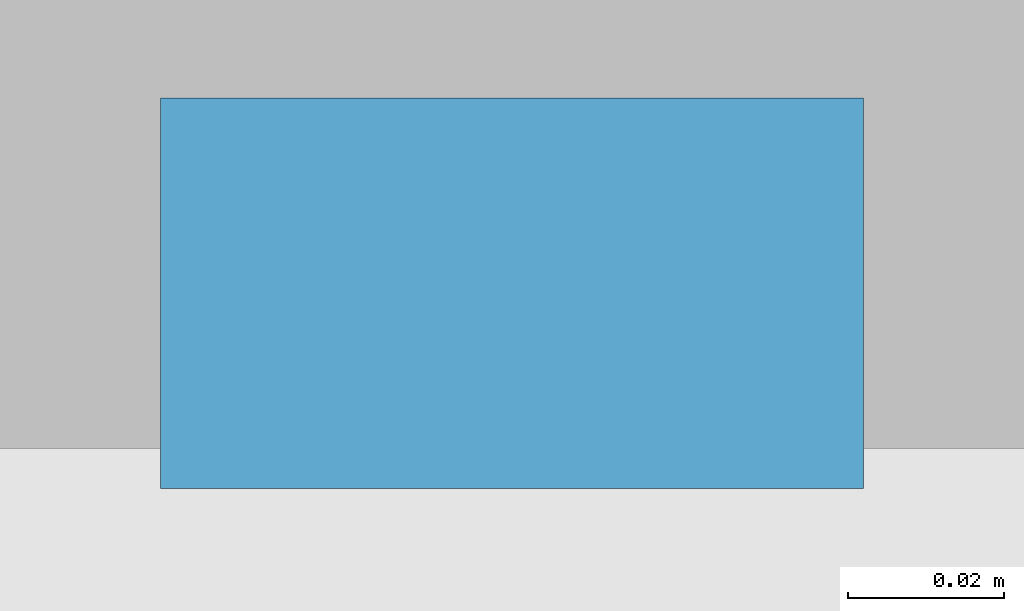
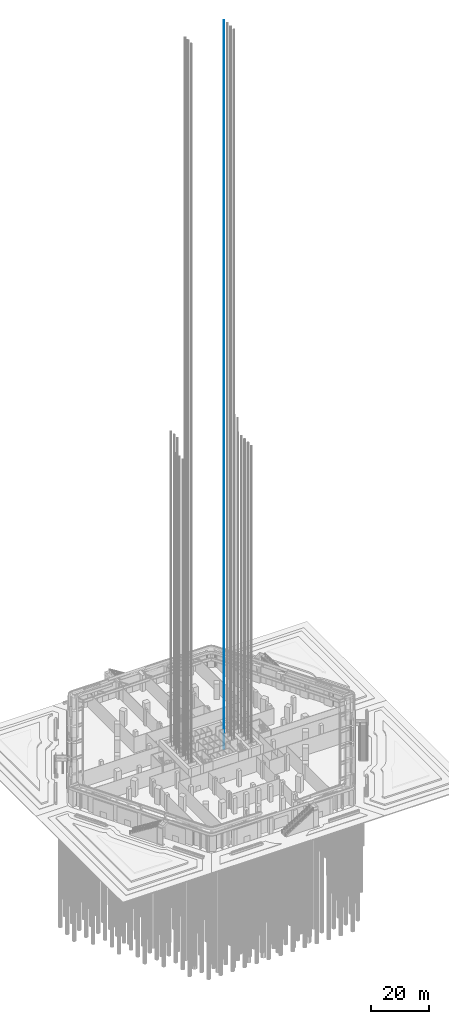
# One storey, part 57 of 68: 1 discrete accessory.
"""IFC4 building model written with IfcOpenShell, lengths in metres."""

from ifc_helpers import new_model, si_unit, direction, frame, origin, origin_2d, place, context, subcontext, project, spatial, rectangle, extrude, element, save


model = new_model("IFC4")

# Units and contexts
model_context = context("Model", 3, precision=1e-05, world=origin(), true_north=direction((0.0, 1.0)))
body_context = subcontext(model_context, "Body", "Model", "MODEL_VIEW")
ifc_project = project(units=[si_unit("LENGTHUNIT", "METRE"), si_unit("AREAUNIT", "SQUARE_METRE"), si_unit("VOLUMEUNIT", "CUBIC_METRE"), si_unit("PLANEANGLEUNIT", "RADIAN"), si_unit("MASSUNIT", "GRAM", prefix="KILO")], contexts=[model_context])

# Site, building, storey
site_placement = place(None, origin())
site = spatial("IfcSite", under=ifc_project, at=site_placement, CompositionType="ELEMENT")
building_placement = place(site_placement, origin())
building = spatial("IfcBuilding", under=site, at=building_placement, Name="Kolab Exchange Tower", CompositionType="ELEMENT")
storey_placement = place(building_placement, origin())
storey = spatial("IfcBuildingStorey", under=building, at=storey_placement, Name="L00", CompositionType="ELEMENT", Elevation=0.0)

# Discrete accessory
discrete_accessory_placement = place(storey_placement, frame((7.800048828125, 4.669921875, -1.599853515625), z_axis=(0.0, 0.0, 1.0), x_axis=(1.0, 0.0, 0.0)))
element("IfcDiscreteAccessory", 1, at=discrete_accessory_placement, inside=storey, Name="Guide rail SV3-2", ObjectType="GUIDE RAIL", PredefinedType="USERDEFINED", context=body_context, shape_type="SweptSolid", body=[
    extrude(rectangle(XDim=0.090087890625, YDim=0.050048828125, at=origin_2d()), origin(), (0.0, 0.0, 1.0), 307.89990234375),
])

save(model, "model.ifc")
